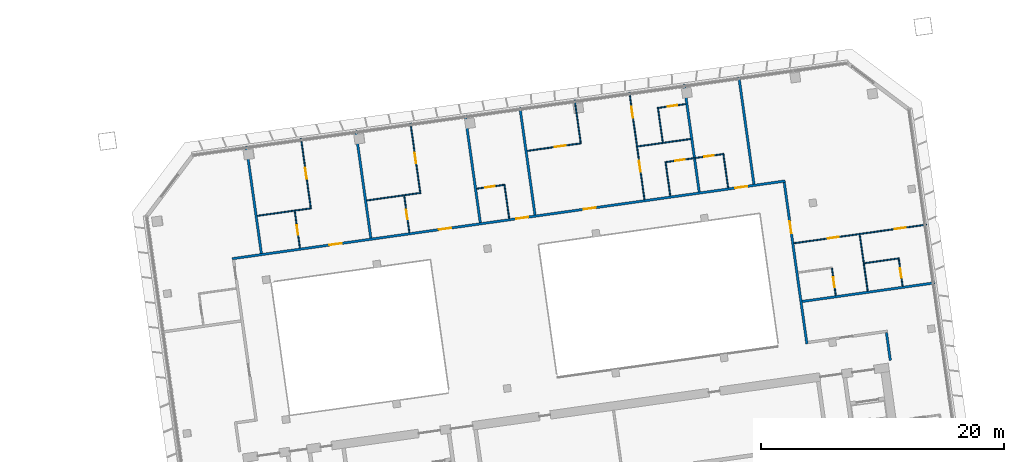
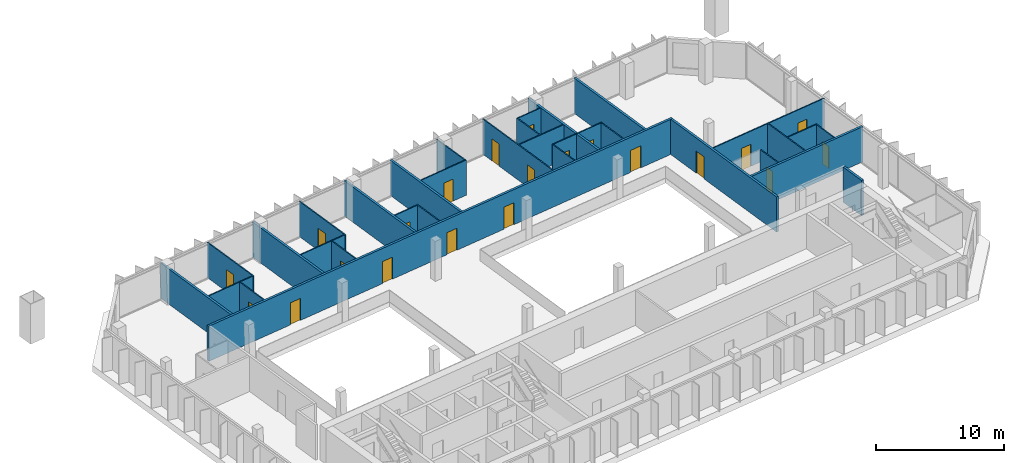
# One storey, part 21 of 25: 32 walls, 21 doors, 21 openings.
"""IFC4 building model written with IfcOpenShell, lengths in metres."""

from ifc_helpers import new_model, si_unit, direction, frame, frame_2d, origin, place, context, subcontext, project, spatial, rectangle, extrude, material, layer, layer_set, type_object, element, fill, save


model = new_model("IFC4")

# Units and contexts
model_context = context("Model", 3, precision=1e-05, world=origin(), true_north=direction((0.0, 1.0)))
body_context = subcontext(model_context, "Body", "Model", "MODEL_VIEW")
ifc_project = project(units=[si_unit("LENGTHUNIT", "METRE"), si_unit("AREAUNIT", "SQUARE_METRE"), si_unit("VOLUMEUNIT", "CUBIC_METRE"), si_unit("PLANEANGLEUNIT", "RADIAN"), si_unit("MASSUNIT", "GRAM", prefix="KILO")], contexts=[model_context])

# Site, building, storey
site_placement = place(None, origin())
site = spatial("IfcSite", under=ifc_project, at=site_placement, CompositionType="ELEMENT")
building_placement = place(site_placement, origin())
building = spatial("IfcBuilding", under=site, at=building_placement, Name="Mirante Cascada Hotel Towers", CompositionType="ELEMENT")
storey_placement = place(building_placement, frame((0.0, 0.0, 172.6)))
storey = spatial("IfcBuildingStorey", under=building, at=storey_placement, Name="L40", CompositionType="ELEMENT", Elevation=172.6)

# Wall
ifc_material_1 = material(Name="Fire-rated plasterboard on metal studs")
ifc_layer_1 = layer(ifc_material_1, 0.2)
ifc_layer_set_1 = layer_set([ifc_layer_1], Name="Compartment wall 200 EI 120")
wall_type_1 = type_object("IfcWallType", Name="Compartment wall 200 EI 120", PredefinedType="PARTITIONING", material=ifc_layer_set_1)
wall_1_placement = place(storey_placement, frame((81.4939, 5.237, 0.0), z_axis=(0.0, 0.0, 1.0), x_axis=(0.9902682, 0.1391721, 0.0)))
element("IfcWall", 1, at=wall_1_placement, inside=storey, type_object=wall_type_1, Name="Wall 2-L40-07", PredefinedType="PARTITIONING", context=body_context, shape_type="SweptSolid", body=[
    extrude(rectangle(XDim=11.0001, YDim=0.2, at=frame_2d((5.5, 0.0))), origin(), (0.0, 0.0, 1.0), 3.35),
])

# Wall, openings, doors
wall_2_placement = place(storey_placement, frame((34.6489, 8.7516, 0.0), z_axis=(0.0, 0.0, 1.0), x_axis=(0.9902679, 0.1391743, 0.0)))
wall_2 = element("IfcWall", 2, at=wall_2_placement, inside=storey, type_object=wall_type_1, Name="Wall 2-L40-13", PredefinedType="PARTITIONING", context=body_context, shape_type="SweptSolid", body=[
    extrude(rectangle(XDim=45.9, YDim=0.2, at=frame_2d((22.95, 0.0))), origin(), (0.0, 0.0, 1.0), 3.35),
])
opening_1_placement = place(wall_2_placement, frame((8.0777, 0.0, 0.0)))
opening_1 = element("IfcOpeningElement", 3, at=opening_1_placement, cuts=wall_2, Name="Opening D2-L40-06", PredefinedType="OPENING", context=body_context, shape_type="SweptSolid", body=[
    extrude(rectangle(XDim=1.0, YDim=2.1, at=frame_2d((0.5, 1.05))), frame((0.0, 0.1, 0.0), z_axis=(0.0, -1.0, 0.0), x_axis=(1.0, 0.0, 0.0)), (0.0, 0.0, 1.0), 0.2),
])
opening_2_placement = place(wall_2_placement, frame((17.1621, 0.0, 0.0)))
opening_2 = element("IfcOpeningElement", 4, at=opening_2_placement, cuts=wall_2, Name="Opening D2-L40-07", PredefinedType="OPENING", context=body_context, shape_type="SweptSolid", body=[
    extrude(rectangle(XDim=1.0, YDim=2.1, at=frame_2d((0.5, 1.05))), frame((0.0, 0.1, 0.0), z_axis=(0.0, -1.0, 0.0), x_axis=(1.0, 0.0, 0.0)), (0.0, 0.0, 1.0), 0.2),
])
opening_3_placement = place(wall_2_placement, frame((23.5755, 0.0, 0.0)))
opening_3 = element("IfcOpeningElement", 5, at=opening_3_placement, cuts=wall_2, Name="Opening D2-L40-08", PredefinedType="OPENING", context=body_context, shape_type="SweptSolid", body=[
    extrude(rectangle(XDim=1.0, YDim=2.1, at=frame_2d((0.5, 1.05))), frame((0.0, 0.1, 0.0), z_axis=(0.0, -1.0, 0.0), x_axis=(1.0, 0.0, 0.0)), (0.0, 0.0, 1.0), 0.2),
])
opening_4_placement = place(wall_2_placement, frame((29.1888, 0.0, 0.0)))
opening_4 = element("IfcOpeningElement", 6, at=opening_4_placement, cuts=wall_2, Name="Opening D2-L40-09", PredefinedType="OPENING", context=body_context, shape_type="SweptSolid", body=[
    extrude(rectangle(XDim=1.0, YDim=2.1, at=frame_2d((0.5, 1.05))), frame((0.0, 0.1, 0.0), z_axis=(0.0, -1.0, 0.0), x_axis=(1.0, 0.0, 0.0)), (0.0, 0.0, 1.0), 0.2),
])
opening_5_placement = place(wall_2_placement, frame((41.7444, 0.0, 0.0)))
opening_5 = element("IfcOpeningElement", 7, at=opening_5_placement, cuts=wall_2, Name="Opening D2-L40-10", PredefinedType="OPENING", context=body_context, shape_type="SweptSolid", body=[
    extrude(rectangle(XDim=1.0, YDim=2.1, at=frame_2d((0.5, 1.05))), frame((0.0, 0.1, 0.0), z_axis=(0.0, -1.0, 0.0), x_axis=(1.0, 0.0, 0.0)), (0.0, 0.0, 1.0), 0.2),
])
ifc_material_2 = material(Name="Fire-rated timber door leaf", Category="wood")
door_type_1 = type_object("IfcDoorType", Name="Entrance door DG1 1000x2100 EI 60", OperationType="SINGLE_SWING_LEFT", PredefinedType="DOOR", material=ifc_material_2)
door_1_placement = place(opening_1_placement, origin())
door_1 = element("IfcDoor", 8, at=door_1_placement, inside=storey, type_object=door_type_1, Name="Door D2-L40-06", OperationType="SINGLE_SWING_LEFT", OverallHeight=2.1, OverallWidth=1.0, PredefinedType="DOOR", context=body_context, shape_type="SweptSolid", body=[
    extrude(rectangle(XDim=1.0, YDim=2.1, at=frame_2d((0.5, 1.05))), frame((0.0, 0.025, 0.0), z_axis=(0.0, -1.0, 0.0), x_axis=(1.0, 0.0, 0.0)), (0.0, 0.0, 1.0), 0.05),
])
fill(opening_1, door_1)
door_2_placement = place(opening_2_placement, origin())
door_2 = element("IfcDoor", 9, at=door_2_placement, inside=storey, type_object=door_type_1, Name="Door D2-L40-07", OperationType="SINGLE_SWING_LEFT", OverallHeight=2.1, OverallWidth=1.0, PredefinedType="DOOR", context=body_context, shape_type="SweptSolid", body=[
    extrude(rectangle(XDim=1.0, YDim=2.1, at=frame_2d((0.5, 1.05))), frame((0.0, 0.025, 0.0), z_axis=(0.0, -1.0, 0.0), x_axis=(1.0, 0.0, 0.0)), (0.0, 0.0, 1.0), 0.05),
])
fill(opening_2, door_2)
door_3_placement = place(opening_3_placement, origin())
door_3 = element("IfcDoor", 10, at=door_3_placement, inside=storey, type_object=door_type_1, Name="Door D2-L40-08", OperationType="SINGLE_SWING_LEFT", OverallHeight=2.1, OverallWidth=1.0, PredefinedType="DOOR", context=body_context, shape_type="SweptSolid", body=[
    extrude(rectangle(XDim=1.0, YDim=2.1, at=frame_2d((0.5, 1.05))), frame((0.0, 0.025, 0.0), z_axis=(0.0, -1.0, 0.0), x_axis=(1.0, 0.0, 0.0)), (0.0, 0.0, 1.0), 0.05),
])
fill(opening_3, door_3)
door_4_placement = place(opening_4_placement, origin())
door_4 = element("IfcDoor", 11, at=door_4_placement, inside=storey, type_object=door_type_1, Name="Door D2-L40-09", OperationType="SINGLE_SWING_LEFT", OverallHeight=2.1, OverallWidth=1.0, PredefinedType="DOOR", context=body_context, shape_type="SweptSolid", body=[
    extrude(rectangle(XDim=1.0, YDim=2.1, at=frame_2d((0.5, 1.05))), frame((0.0, 0.025, 0.0), z_axis=(0.0, -1.0, 0.0), x_axis=(1.0, 0.0, 0.0)), (0.0, 0.0, 1.0), 0.05),
])
fill(opening_4, door_4)
door_5_placement = place(opening_5_placement, origin())
door_5 = element("IfcDoor", 12, at=door_5_placement, inside=storey, type_object=door_type_1, Name="Door D2-L40-10", OperationType="SINGLE_SWING_LEFT", OverallHeight=2.1, OverallWidth=1.0, PredefinedType="DOOR", context=body_context, shape_type="SweptSolid", body=[
    extrude(rectangle(XDim=1.0, YDim=2.1, at=frame_2d((0.5, 1.05))), frame((0.0, 0.025, 0.0), z_axis=(0.0, -1.0, 0.0), x_axis=(1.0, 0.0, 0.0)), (0.0, 0.0, 1.0), 0.05),
])
fill(opening_5, door_5)

# Walls
for number, where, z_axis, x_axis, name in (
    (13, (37.0468, 9.1896, 0.0), (0.0, 0.0, 1.0), (-0.1391794, 0.9902672, 0.0), "Wall 2-L40-27"),
    (14, (44.8041, 19.2673, 0.0), (0.0, 0.0, 1.0), (0.1391794, -0.9902672, 0.0), "Wall 2-L40-30"),
    (15, (55.0389, 11.7182, 0.0), (0.0, 0.0, 1.0), (-0.1391794, 0.9902672, 0.0), "Wall 2-L40-33"),
    (16, (59.5369, 12.3504, 0.0), (0.0, 0.0, 1.0), (-0.1391794, 0.9902672, 0.0), "Wall 2-L40-35"),
):
    element("IfcWall", number, at=place(storey_placement, frame(where, z_axis=z_axis, x_axis=x_axis)), inside=storey, type_object=wall_type_1, Name=name, PredefinedType="PARTITIONING", context=body_context, shape_type="SweptSolid", body=[
        extrude(rectangle(XDim=8.9, YDim=0.2, at=frame_2d((4.45, 0.0))), origin(), (0.0, 0.0, 1.0), 3.35),
    ])
wall_3_placement = place(storey_placement, frame((71.7923, 23.0602, 0.0), z_axis=(0.0, 0.0, 1.0), x_axis=(0.13917, -0.9902685, 0.0)))
element("IfcWall", 17, at=wall_3_placement, inside=storey, type_object=wall_type_1, Name="Wall 2-L40-40", PredefinedType="PARTITIONING", context=body_context, shape_type="SweptSolid", body=[
    extrude(rectangle(XDim=8.8999, YDim=0.2, at=frame_2d((4.45, 0.0))), origin(), (0.0, 0.0, 1.0), 3.35),
])
wall_4_placement = place(storey_placement, frame((76.2903, 23.6924, 0.0), z_axis=(0.0, 0.0, 1.0), x_axis=(0.1391684, -0.9902687, 0.0)))
element("IfcWall", 18, at=wall_4_placement, inside=storey, type_object=wall_type_1, Name="Wall 2-L40-42", PredefinedType="PARTITIONING", context=body_context, shape_type="SweptSolid", body=[
    extrude(rectangle(XDim=8.9, YDim=0.2, at=frame_2d((4.45, 0.0))), origin(), (0.0, 0.0, 1.0), 3.35),
])

# Wall, opening, door
wall_5_placement = place(storey_placement, frame((81.882, 1.7571, 0.0), z_axis=(0.0, 0.0, 1.0), x_axis=(-0.1391716, 0.9902683, 0.0)))
wall_5 = element("IfcWall", 19, at=wall_5_placement, inside=storey, type_object=wall_type_1, Name="Wall 2-L40-43", PredefinedType="PARTITIONING", context=body_context, shape_type="SweptSolid", body=[
    extrude(rectangle(XDim=13.4, YDim=0.2, at=frame_2d((6.7, 0.0))), origin(), (0.0, 0.0, 1.0), 3.35),
])
opening_6_placement = place(wall_5_placement, frame((9.1833, 0.0, 0.0)))
opening_6 = element("IfcOpeningElement", 20, at=opening_6_placement, cuts=wall_5, Name="Opening D2-L40-25", PredefinedType="OPENING", context=body_context, shape_type="SweptSolid", body=[
    extrude(rectangle(XDim=1.0, YDim=2.1, at=frame_2d((0.5, 1.05))), frame((0.0, 0.1, 0.0), z_axis=(0.0, -1.0, 0.0), x_axis=(1.0, 0.0, 0.0)), (0.0, 0.0, 1.0), 0.2),
])
door_6_placement = place(opening_6_placement, frame((1.0, 0.0, 0.0), z_axis=(0.0, 0.0, 1.0), x_axis=(-1.0, 0.0, 0.0)))
door_6 = element("IfcDoor", 21, at=door_6_placement, inside=storey, type_object=door_type_1, Name="Door D2-L40-25", OperationType="SINGLE_SWING_RIGHT", OverallHeight=2.1, OverallWidth=1.0, PredefinedType="DOOR", context=body_context, shape_type="SweptSolid", body=[
    extrude(rectangle(XDim=1.0, YDim=2.1, at=frame_2d((0.5, 1.05))), frame((0.0, 0.025, 0.0), z_axis=(0.0, -1.0, 0.0), x_axis=(1.0, 0.0, 0.0)), (0.0, 0.0, 1.0), 0.05),
])
fill(opening_6, door_6)

# Walls
wall_6_placement = place(storey_placement, frame((88.4178, 2.6757, 0.0), z_axis=(0.0, 0.0, 1.0), x_axis=(0.1391749, -0.9902678, 0.0)))
element("IfcWall", 22, at=wall_6_placement, inside=storey, type_object=wall_type_1, Name="Wall 2-L40-46", PredefinedType="PARTITIONING", context=body_context, shape_type="SweptSolid", body=[
    extrude(rectangle(XDim=2.3, YDim=0.2, at=frame_2d((1.15, 0.0))), origin(), (0.0, 0.0, 1.0), 3.35),
])
ifc_material_3 = material(Name="Plasterboard on metal studs")
ifc_layer_2 = layer(ifc_material_3, 0.1)
ifc_layer_set_2 = layer_set([ifc_layer_2], Name="Partition 100")
wall_type_2 = type_object("IfcWallType", Name="Partition 100", PredefinedType="PARTITIONING", material=ifc_layer_set_2)
wall_7_placement = place(storey_placement, frame((86.6064, 8.3791, 0.0), z_axis=(0.0, 0.0, 1.0), x_axis=(0.9902683, 0.1391714, 0.0)))
element("IfcWall", 23, at=wall_7_placement, inside=storey, type_object=wall_type_2, Name="Wall 2-L40-09", PredefinedType="PARTITIONING", context=body_context, shape_type="SweptSolid", body=[
    extrude(rectangle(XDim=2.9, YDim=0.1, at=frame_2d((1.45, 0.0))), origin(), (0.0, 0.0, 1.0), 3.35),
])

# Wall, openings, doors
wall_8_placement = place(storey_placement, frame((80.8213, 10.0233, 0.0), z_axis=(0.0, 0.0, 1.0), x_axis=(0.990268, 0.1391733, 0.0)))
wall_8 = element("IfcWall", 24, at=wall_8_placement, inside=storey, type_object=wall_type_2, Name="Wall 2-L40-11", PredefinedType="PARTITIONING", context=body_context, shape_type="SweptSolid", body=[
    extrude(rectangle(XDim=11.0, YDim=0.1, at=frame_2d((5.5, 0.0))), origin(), (0.0, 0.0, 1.0), 3.35),
])
opening_7_placement = place(wall_8_placement, frame((2.825, 0.0, 0.0)))
opening_7 = element("IfcOpeningElement", 25, at=opening_7_placement, cuts=wall_8, Name="Opening D2-L40-04", PredefinedType="OPENING", context=body_context, shape_type="SweptSolid", body=[
    extrude(rectangle(XDim=0.9, YDim=2.1, at=frame_2d((0.45, 1.05))), frame((0.0, 0.05, 0.0), z_axis=(0.0, -1.0, 0.0), x_axis=(1.0, 0.0, 0.0)), (0.0, 0.0, 1.0), 0.1),
])
opening_8_placement = place(wall_8_placement, frame((8.375, 0.0, 0.0)))
opening_8 = element("IfcOpeningElement", 26, at=opening_8_placement, cuts=wall_8, Name="Opening D2-L40-05", PredefinedType="OPENING", context=body_context, shape_type="SweptSolid", body=[
    extrude(rectangle(XDim=0.9, YDim=2.1, at=frame_2d((0.45, 1.05))), frame((0.0, 0.05, 0.0), z_axis=(0.0, -1.0, 0.0), x_axis=(1.0, 0.0, 0.0)), (0.0, 0.0, 1.0), 0.1),
])
ifc_material_4 = material(Name="Timber door leaf", Category="wood")
door_type_2 = type_object("IfcDoorType", Name="Room door DG3 900x2100", OperationType="SINGLE_SWING_LEFT", PredefinedType="DOOR", material=ifc_material_4)
door_7_placement = place(opening_7_placement, origin())
door_7 = element("IfcDoor", 27, at=door_7_placement, inside=storey, type_object=door_type_2, Name="Door D2-L40-04", OperationType="SINGLE_SWING_LEFT", OverallHeight=2.1, OverallWidth=0.9, PredefinedType="DOOR", context=body_context, shape_type="SweptSolid", body=[
    extrude(rectangle(XDim=0.9, YDim=2.1, at=frame_2d((0.45, 1.05))), frame((0.0, 0.025, 0.0), z_axis=(0.0, -1.0, 0.0), x_axis=(1.0, 0.0, 0.0)), (0.0, 0.0, 1.0), 0.05),
])
fill(opening_7, door_7)
door_8_placement = place(opening_8_placement, origin())
door_8 = element("IfcDoor", 28, at=door_8_placement, inside=storey, type_object=door_type_2, Name="Door D2-L40-05", OperationType="SINGLE_SWING_LEFT", OverallHeight=2.1, OverallWidth=0.9, PredefinedType="DOOR", context=body_context, shape_type="SweptSolid", body=[
    extrude(rectangle(XDim=0.9, YDim=2.1, at=frame_2d((0.45, 1.05))), frame((0.0, 0.025, 0.0), z_axis=(0.0, -1.0, 0.0), x_axis=(1.0, 0.0, 0.0)), (0.0, 0.0, 1.0), 0.05),
])
fill(opening_8, door_8)

# Wall, opening, door
wall_9_placement = place(storey_placement, frame((56.9763, 14.818, 0.0), z_axis=(0.0, 0.0, 1.0), x_axis=(-0.9902705, -0.1391561, 0.0)))
wall_9 = element("IfcWall", 29, at=wall_9_placement, inside=storey, type_object=wall_type_2, Name="Wall 2-L40-14", PredefinedType="PARTITIONING", context=body_context, shape_type="SweptSolid", body=[
    extrude(rectangle(XDim=2.25, YDim=0.1, at=frame_2d((1.125, 0.0))), origin(), (0.0, 0.0, 1.0), 3.35),
])
opening_9_placement = place(wall_9_placement, frame((0.75, 0.0, 0.0)))
opening_9 = element("IfcOpeningElement", 30, at=opening_9_placement, cuts=wall_9, Name="Opening D2-L40-11", PredefinedType="OPENING", context=body_context, shape_type="SweptSolid", body=[
    extrude(rectangle(XDim=0.8, YDim=2.1, at=frame_2d((0.4, 1.05))), frame((0.0, 0.05, 0.0), z_axis=(0.0, -1.0, 0.0), x_axis=(1.0, 0.0, 0.0)), (0.0, 0.0, 1.0), 0.1),
])
ifc_material_5 = material(Name="Timber door leaf", Category="wood")
door_type_3 = type_object("IfcDoorType", Name="Bathroom door DG4 800x2100", OperationType="SINGLE_SWING_LEFT", PredefinedType="DOOR", material=ifc_material_5)
door_9_placement = place(opening_9_placement, frame((0.8, 0.0, 0.0), z_axis=(0.0, 0.0, 1.0), x_axis=(-1.0, 0.0, 0.0)))
door_9 = element("IfcDoor", 31, at=door_9_placement, inside=storey, type_object=door_type_3, Name="Door D2-L40-11", OperationType="SINGLE_SWING_RIGHT", OverallHeight=2.1, OverallWidth=0.8, PredefinedType="DOOR", context=body_context, shape_type="SweptSolid", body=[
    extrude(rectangle(XDim=0.8, YDim=2.1, at=frame_2d((0.4, 1.05))), frame((0.0, 0.025, 0.0), z_axis=(0.0, -1.0, 0.0), x_axis=(1.0, 0.0, 0.0)), (0.0, 0.0, 1.0), 0.05),
])
fill(opening_9, door_9)

# Wall, openings, doors
wall_10_placement = place(storey_placement, frame((70.2151, 16.6786, 0.0), z_axis=(0.0, 0.0, 1.0), x_axis=(0.9902666, 0.1391838, 0.0)))
wall_10 = element("IfcWall", 32, at=wall_10_placement, inside=storey, type_object=wall_type_2, Name="Wall 2-L40-15", PredefinedType="PARTITIONING", context=body_context, shape_type="SweptSolid", body=[
    extrude(rectangle(XDim=4.9, YDim=0.1, at=frame_2d((2.45, 0.0))), origin(), (0.0, 0.0, 1.0), 3.35),
])
opening_10_placement = place(wall_10_placement, frame((0.85, 0.0, 0.0)))
opening_10 = element("IfcOpeningElement", 33, at=opening_10_placement, cuts=wall_10, Name="Opening D2-L40-12", PredefinedType="OPENING", context=body_context, shape_type="SweptSolid", body=[
    extrude(rectangle(XDim=0.8, YDim=2.1, at=frame_2d((0.4, 1.05))), frame((0.0, 0.05, 0.0), z_axis=(0.0, -1.0, 0.0), x_axis=(1.0, 0.0, 0.0)), (0.0, 0.0, 1.0), 0.1),
])
opening_11_placement = place(wall_10_placement, frame((3.25, 0.0, 0.0)))
opening_11 = element("IfcOpeningElement", 34, at=opening_11_placement, cuts=wall_10, Name="Opening D2-L40-13", PredefinedType="OPENING", context=body_context, shape_type="SweptSolid", body=[
    extrude(rectangle(XDim=0.8, YDim=2.1, at=frame_2d((0.4, 1.05))), frame((0.0, 0.05, 0.0), z_axis=(0.0, -1.0, 0.0), x_axis=(1.0, 0.0, 0.0)), (0.0, 0.0, 1.0), 0.1),
])
door_10_placement = place(opening_10_placement, frame((0.8, 0.0, 0.0), z_axis=(0.0, 0.0, 1.0), x_axis=(-1.0, 0.0, 0.0)))
door_10 = element("IfcDoor", 35, at=door_10_placement, inside=storey, type_object=door_type_3, Name="Door D2-L40-12", OperationType="SINGLE_SWING_RIGHT", OverallHeight=2.1, OverallWidth=0.8, PredefinedType="DOOR", context=body_context, shape_type="SweptSolid", body=[
    extrude(rectangle(XDim=0.8, YDim=2.1, at=frame_2d((0.4, 1.05))), frame((0.0, 0.025, 0.0), z_axis=(0.0, -1.0, 0.0), x_axis=(1.0, 0.0, 0.0)), (0.0, 0.0, 1.0), 0.05),
])
fill(opening_10, door_10)
door_11_placement = place(opening_11_placement, origin())
door_11 = element("IfcDoor", 36, at=door_11_placement, inside=storey, type_object=door_type_3, Name="Door D2-L40-13", OperationType="SINGLE_SWING_LEFT", OverallHeight=2.1, OverallWidth=0.8, PredefinedType="DOOR", context=body_context, shape_type="SweptSolid", body=[
    extrude(rectangle(XDim=0.8, YDim=2.1, at=frame_2d((0.4, 1.05))), frame((0.0, 0.025, 0.0), z_axis=(0.0, -1.0, 0.0), x_axis=(1.0, 0.0, 0.0)), (0.0, 0.0, 1.0), 0.05),
])
fill(opening_11, door_11)

# Walls
wall_11_placement = place(storey_placement, frame((41.0638, 12.8846, 0.0), z_axis=(0.0, 0.0, 1.0), x_axis=(-0.9902702, -0.1391579, 0.0)))
element("IfcWall", 37, at=wall_11_placement, inside=storey, type_object=wall_type_2, Name="Wall 2-L40-16", PredefinedType="PARTITIONING", context=body_context, shape_type="SweptSolid", body=[
    extrude(rectangle(XDim=4.3921, YDim=0.1, at=frame_2d((2.196, 0.0))), origin(), (0.0, 0.0, 1.0), 3.35),
])
for number, where, z_axis, x_axis, name in (
    (38, (45.7104, 13.5377, 0.0), (0.0, 0.0, 1.0), (0.9902675, 0.139177, 0.0), "Wall 2-L40-17"),
    (39, (72.3196, 18.5901, 0.0), (0.0, 0.0, 1.0), (-0.9902675, -0.139177, 0.0), "Wall 2-L40-18"),
):
    element("IfcWall", number, at=place(storey_placement, frame(where, z_axis=z_axis, x_axis=x_axis)), inside=storey, type_object=wall_type_2, Name=name, PredefinedType="PARTITIONING", context=body_context, shape_type="SweptSolid", body=[
        extrude(rectangle(XDim=4.3922, YDim=0.1, at=frame_2d((2.1961, 0.0))), origin(), (0.0, 0.0, 1.0), 3.35),
    ])

# Wall, opening, door
wall_12_placement = place(storey_placement, frame((58.8983, 17.6127, 0.0), z_axis=(0.0, 0.0, 1.0), x_axis=(0.9902679, 0.139174, 0.0)))
wall_12 = element("IfcWall", 40, at=wall_12_placement, inside=storey, type_object=wall_type_2, Name="Wall 2-L40-19", PredefinedType="PARTITIONING", context=body_context, shape_type="SweptSolid", body=[
    extrude(rectangle(XDim=4.4922, YDim=0.1, at=frame_2d((2.2461, 0.0))), origin(), (0.0, 0.0, 1.0), 3.35),
])
opening_12_placement = place(wall_12_placement, frame((2.288, 0.0, 0.0)))
opening_12 = element("IfcOpeningElement", 41, at=opening_12_placement, cuts=wall_12, Name="Opening D2-L40-14", PredefinedType="OPENING", context=body_context, shape_type="SweptSolid", body=[
    extrude(rectangle(XDim=0.9, YDim=2.1, at=frame_2d((0.45, 1.05))), frame((0.0, 0.05, 0.0), z_axis=(0.0, -1.0, 0.0), x_axis=(1.0, 0.0, 0.0)), (0.0, 0.0, 1.0), 0.1),
])
door_12_placement = place(opening_12_placement, frame((0.9, 0.0, 0.0), z_axis=(0.0, 0.0, 1.0), x_axis=(-1.0, 0.0, 0.0)))
door_12 = element("IfcDoor", 42, at=door_12_placement, inside=storey, type_object=door_type_2, Name="Door D2-L40-14", OperationType="SINGLE_SWING_RIGHT", OverallHeight=2.1, OverallWidth=0.9, PredefinedType="DOOR", context=body_context, shape_type="SweptSolid", body=[
    extrude(rectangle(XDim=0.9, YDim=2.1, at=frame_2d((0.45, 1.05))), frame((0.0, 0.025, 0.0), z_axis=(0.0, -1.0, 0.0), x_axis=(1.0, 0.0, 0.0)), (0.0, 0.0, 1.0), 0.05),
])
fill(opening_12, door_12)

wall_13_placement = place(storey_placement, frame((71.916, 21.4619, 0.0), z_axis=(0.0, 0.0, 1.0), x_axis=(-0.9902705, -0.1391561, 0.0)))
wall_13 = element("IfcWall", 43, at=wall_13_placement, inside=storey, type_object=wall_type_2, Name="Wall 2-L40-20", PredefinedType="PARTITIONING", context=body_context, shape_type="SweptSolid", body=[
    extrude(rectangle(XDim=2.25, YDim=0.1, at=frame_2d((1.125, 0.0))), origin(), (0.0, 0.0, 1.0), 3.35),
])
opening_13_placement = place(wall_13_placement, frame((0.7, 0.0, 0.0)))
opening_13 = element("IfcOpeningElement", 44, at=opening_13_placement, cuts=wall_13, Name="Opening D2-L40-15", PredefinedType="OPENING", context=body_context, shape_type="SweptSolid", body=[
    extrude(rectangle(XDim=0.8, YDim=2.1, at=frame_2d((0.4, 1.05))), frame((0.0, 0.05, 0.0), z_axis=(0.0, -1.0, 0.0), x_axis=(1.0, 0.0, 0.0)), (0.0, 0.0, 1.0), 0.1),
])
door_13_placement = place(opening_13_placement, origin())
door_13 = element("IfcDoor", 45, at=door_13_placement, inside=storey, type_object=door_type_3, Name="Door D2-L40-15", OperationType="SINGLE_SWING_LEFT", OverallHeight=2.1, OverallWidth=0.8, PredefinedType="DOOR", context=body_context, shape_type="SweptSolid", body=[
    extrude(rectangle(XDim=0.8, YDim=2.1, at=frame_2d((0.4, 1.05))), frame((0.0, 0.025, 0.0), z_axis=(0.0, -1.0, 0.0), x_axis=(1.0, 0.0, 0.0)), (0.0, 0.0, 1.0), 0.05),
])
fill(opening_13, door_13)

wall_14_placement = place(storey_placement, frame((39.7912, 12.6553, 0.0), z_axis=(0.0, 0.0, 1.0), x_axis=(0.1391488, -0.9902715, 0.0)))
wall_14 = element("IfcWall", 46, at=wall_14_placement, inside=storey, type_object=wall_type_2, Name="Wall 2-L40-28", PredefinedType="PARTITIONING", context=body_context, shape_type="SweptSolid", body=[
    extrude(rectangle(XDim=3.05, YDim=0.1, at=frame_2d((1.525, 0.0))), origin(), (0.0, 0.0, 1.0), 3.35),
])
opening_14_placement = place(wall_14_placement, frame((1.15, 0.0, 0.0)))
opening_14 = element("IfcOpeningElement", 47, at=opening_14_placement, cuts=wall_14, Name="Opening D2-L40-19", PredefinedType="OPENING", context=body_context, shape_type="SweptSolid", body=[
    extrude(rectangle(XDim=0.8, YDim=2.1, at=frame_2d((0.4, 1.05))), frame((0.0, 0.05, 0.0), z_axis=(0.0, -1.0, 0.0), x_axis=(1.0, 0.0, 0.0)), (0.0, 0.0, 1.0), 0.1),
])
door_14_placement = place(opening_14_placement, origin())
door_14 = element("IfcDoor", 48, at=door_14_placement, inside=storey, type_object=door_type_3, Name="Door D2-L40-19", OperationType="SINGLE_SWING_LEFT", OverallHeight=2.1, OverallWidth=0.8, PredefinedType="DOOR", context=body_context, shape_type="SweptSolid", body=[
    extrude(rectangle(XDim=0.8, YDim=2.1, at=frame_2d((0.4, 1.05))), frame((0.0, 0.025, 0.0), z_axis=(0.0, -1.0, 0.0), x_axis=(1.0, 0.0, 0.0)), (0.0, 0.0, 1.0), 0.05),
])
fill(opening_14, door_14)

wall_15_placement = place(storey_placement, frame((41.1203, 12.8421, 0.0), z_axis=(0.0, 0.0, 1.0), x_axis=(-0.1391786, 0.9902673, 0.0)))
wall_15 = element("IfcWall", 49, at=wall_15_placement, inside=storey, type_object=wall_type_2, Name="Wall 2-L40-29", PredefinedType="PARTITIONING", context=body_context, shape_type="SweptSolid", body=[
    extrude(rectangle(XDim=5.85, YDim=0.1, at=frame_2d((2.925, 0.0))), origin(), (0.0, 0.0, 1.0), 3.35),
])
opening_15_placement = place(wall_15_placement, frame((2.5, 0.0, 0.0)))
opening_15 = element("IfcOpeningElement", 50, at=opening_15_placement, cuts=wall_15, Name="Opening D2-L40-20", PredefinedType="OPENING", context=body_context, shape_type="SweptSolid", body=[
    extrude(rectangle(XDim=0.9, YDim=2.1, at=frame_2d((0.45, 1.05))), frame((0.0, 0.05, 0.0), z_axis=(0.0, -1.0, 0.0), x_axis=(1.0, 0.0, 0.0)), (0.0, 0.0, 1.0), 0.1),
])
door_15_placement = place(opening_15_placement, frame((0.9, 0.0, 0.0), z_axis=(0.0, 0.0, 1.0), x_axis=(-1.0, 0.0, 0.0)))
door_15 = element("IfcDoor", 51, at=door_15_placement, inside=storey, type_object=door_type_2, Name="Door D2-L40-20", OperationType="SINGLE_SWING_RIGHT", OverallHeight=2.1, OverallWidth=0.9, PredefinedType="DOOR", context=body_context, shape_type="SweptSolid", body=[
    extrude(rectangle(XDim=0.9, YDim=2.1, at=frame_2d((0.45, 1.05))), frame((0.0, 0.025, 0.0), z_axis=(0.0, -1.0, 0.0), x_axis=(1.0, 0.0, 0.0)), (0.0, 0.0, 1.0), 0.05),
])
fill(opening_15, door_15)

wall_16_placement = place(storey_placement, frame((49.2116, 10.8993, 0.0), z_axis=(0.0, 0.0, 1.0), x_axis=(-0.1391488, 0.9902715, 0.0)))
wall_16 = element("IfcWall", 52, at=wall_16_placement, inside=storey, type_object=wall_type_2, Name="Wall 2-L40-31", PredefinedType="PARTITIONING", context=body_context, shape_type="SweptSolid", body=[
    extrude(rectangle(XDim=3.05, YDim=0.1, at=frame_2d((1.525, 0.0))), origin(), (0.0, 0.0, 1.0), 3.35),
])
opening_16_placement = place(wall_16_placement, frame((1.1, 0.0, 0.0)))
opening_16 = element("IfcOpeningElement", 53, at=opening_16_placement, cuts=wall_16, Name="Opening D2-L40-21", PredefinedType="OPENING", context=body_context, shape_type="SweptSolid", body=[
    extrude(rectangle(XDim=0.8, YDim=2.1, at=frame_2d((0.4, 1.05))), frame((0.0, 0.05, 0.0), z_axis=(0.0, -1.0, 0.0), x_axis=(1.0, 0.0, 0.0)), (0.0, 0.0, 1.0), 0.1),
])
door_16_placement = place(opening_16_placement, frame((0.8, 0.0, 0.0), z_axis=(0.0, 0.0, 1.0), x_axis=(-1.0, 0.0, 0.0)))
door_16 = element("IfcDoor", 54, at=door_16_placement, inside=storey, type_object=door_type_3, Name="Door D2-L40-21", OperationType="SINGLE_SWING_RIGHT", OverallHeight=2.1, OverallWidth=0.8, PredefinedType="DOOR", context=body_context, shape_type="SweptSolid", body=[
    extrude(rectangle(XDim=0.8, YDim=2.1, at=frame_2d((0.4, 1.05))), frame((0.0, 0.025, 0.0), z_axis=(0.0, -1.0, 0.0), x_axis=(1.0, 0.0, 0.0)), (0.0, 0.0, 1.0), 0.05),
])
fill(opening_16, door_16)

wall_17_placement = place(storey_placement, frame((49.3022, 19.8995, 0.0), z_axis=(0.0, 0.0, 1.0), x_axis=(0.1391786, -0.9902673, 0.0)))
wall_17 = element("IfcWall", 55, at=wall_17_placement, inside=storey, type_object=wall_type_2, Name="Wall 2-L40-32", PredefinedType="PARTITIONING", context=body_context, shape_type="SweptSolid", body=[
    extrude(rectangle(XDim=5.85, YDim=0.1, at=frame_2d((2.925, 0.0))), origin(), (0.0, 0.0, 1.0), 3.35),
])
opening_17_placement = place(wall_17_placement, frame((2.45, 0.0, 0.0)))
opening_17 = element("IfcOpeningElement", 56, at=opening_17_placement, cuts=wall_17, Name="Opening D2-L40-22", PredefinedType="OPENING", context=body_context, shape_type="SweptSolid", body=[
    extrude(rectangle(XDim=0.9, YDim=2.1, at=frame_2d((0.45, 1.05))), frame((0.0, 0.05, 0.0), z_axis=(0.0, -1.0, 0.0), x_axis=(1.0, 0.0, 0.0)), (0.0, 0.0, 1.0), 0.1),
])
door_17_placement = place(opening_17_placement, origin())
door_17 = element("IfcDoor", 57, at=door_17_placement, inside=storey, type_object=door_type_2, Name="Door D2-L40-22", OperationType="SINGLE_SWING_LEFT", OverallHeight=2.1, OverallWidth=0.9, PredefinedType="DOOR", context=body_context, shape_type="SweptSolid", body=[
    extrude(rectangle(XDim=0.9, YDim=2.1, at=frame_2d((0.45, 1.05))), frame((0.0, 0.025, 0.0), z_axis=(0.0, -1.0, 0.0), x_axis=(1.0, 0.0, 0.0)), (0.0, 0.0, 1.0), 0.05),
])
fill(opening_17, door_17)

# Walls
wall_18_placement = place(storey_placement, frame((57.0189, 14.8745, 0.0), z_axis=(0.0, 0.0, 1.0), x_axis=(0.1391613, -0.9902697, 0.0)))
element("IfcWall", 58, at=wall_18_placement, inside=storey, type_object=wall_type_2, Name="Wall 2-L40-34", PredefinedType="PARTITIONING", context=body_context, shape_type="SweptSolid", body=[
    extrude(rectangle(XDim=2.8499, YDim=0.1, at=frame_2d((1.425, 0.0))), origin(), (0.0, 0.0, 1.0), 3.35),
])
wall_19_placement = place(storey_placement, frame((62.7962, 21.7959, 0.0), z_axis=(0.0, 0.0, 1.0), x_axis=(0.1391849, -0.9902664, 0.0)))
element("IfcWall", 59, at=wall_19_placement, inside=storey, type_object=wall_type_2, Name="Wall 2-L40-36", PredefinedType="PARTITIONING", context=body_context, shape_type="SweptSolid", body=[
    extrude(rectangle(XDim=3.55, YDim=0.1, at=frame_2d((1.775, 0.0))), origin(), (0.0, 0.0, 1.0), 3.35),
])

# Wall, openings, doors
wall_20_placement = place(storey_placement, frame((68.533, 13.6147, 0.0), z_axis=(0.0, 0.0, 1.0), x_axis=(-0.1391794, 0.9902672, 0.0)))
wall_20 = element("IfcWall", 60, at=wall_20_placement, inside=storey, type_object=wall_type_2, Name="Wall 2-L40-37", PredefinedType="PARTITIONING", context=body_context, shape_type="SweptSolid", body=[
    extrude(rectangle(XDim=8.9, YDim=0.1, at=frame_2d((4.45, 0.0))), origin(), (0.0, 0.0, 1.0), 3.35),
])
opening_18_placement = place(wall_20_placement, frame((2.3, 0.0, 0.0)))
opening_18 = element("IfcOpeningElement", 61, at=opening_18_placement, cuts=wall_20, Name="Opening D2-L40-23", PredefinedType="OPENING", context=body_context, shape_type="SweptSolid", body=[
    extrude(rectangle(XDim=0.9, YDim=2.1, at=frame_2d((0.45, 1.05))), frame((0.0, 0.05, 0.0), z_axis=(0.0, -1.0, 0.0), x_axis=(1.0, 0.0, 0.0)), (0.0, 0.0, 1.0), 0.1),
])
opening_19_placement = place(wall_20_placement, frame((6.8, 0.0, 0.0)))
opening_19 = element("IfcOpeningElement", 62, at=opening_19_placement, cuts=wall_20, Name="Opening D2-L40-24", PredefinedType="OPENING", context=body_context, shape_type="SweptSolid", body=[
    extrude(rectangle(XDim=0.9, YDim=2.1, at=frame_2d((0.45, 1.05))), frame((0.0, 0.05, 0.0), z_axis=(0.0, -1.0, 0.0), x_axis=(1.0, 0.0, 0.0)), (0.0, 0.0, 1.0), 0.1),
])
door_18_placement = place(opening_18_placement, origin())
door_18 = element("IfcDoor", 63, at=door_18_placement, inside=storey, type_object=door_type_2, Name="Door D2-L40-23", OperationType="SINGLE_SWING_LEFT", OverallHeight=2.1, OverallWidth=0.9, PredefinedType="DOOR", context=body_context, shape_type="SweptSolid", body=[
    extrude(rectangle(XDim=0.9, YDim=2.1, at=frame_2d((0.45, 1.05))), frame((0.0, 0.025, 0.0), z_axis=(0.0, -1.0, 0.0), x_axis=(1.0, 0.0, 0.0)), (0.0, 0.0, 1.0), 0.05),
])
fill(opening_18, door_18)
door_19_placement = place(opening_19_placement, origin())
door_19 = element("IfcDoor", 64, at=door_19_placement, inside=storey, type_object=door_type_2, Name="Door D2-L40-24", OperationType="SINGLE_SWING_LEFT", OverallHeight=2.1, OverallWidth=0.9, PredefinedType="DOOR", context=body_context, shape_type="SweptSolid", body=[
    extrude(rectangle(XDim=0.9, YDim=2.1, at=frame_2d((0.45, 1.05))), frame((0.0, 0.025, 0.0), z_axis=(0.0, -1.0, 0.0), x_axis=(1.0, 0.0, 0.0)), (0.0, 0.0, 1.0), 0.05),
])
fill(opening_19, door_19)

# Walls
wall_21_placement = place(storey_placement, frame((70.2716, 16.6361, 0.0), z_axis=(0.0, 0.0, 1.0), x_axis=(0.1391607, -0.9902698, 0.0)))
element("IfcWall", 65, at=wall_21_placement, inside=storey, type_object=wall_type_2, Name="Wall 2-L40-38", PredefinedType="PARTITIONING", context=body_context, shape_type="SweptSolid", body=[
    extrude(rectangle(XDim=2.7501, YDim=0.1, at=frame_2d((1.3751, 0.0))), origin(), (0.0, 0.0, 1.0), 3.35),
])
wall_22_placement = place(storey_placement, frame((70.035, 18.3195, 0.0), z_axis=(0.0, 0.0, 1.0), x_axis=(-0.1391714, 0.9902683, 0.0)))
element("IfcWall", 66, at=wall_22_placement, inside=storey, type_object=wall_type_2, Name="Wall 2-L40-39", PredefinedType="PARTITIONING", context=body_context, shape_type="SweptSolid", body=[
    extrude(rectangle(XDim=2.9, YDim=0.1, at=frame_2d((1.45, 0.0))), origin(), (0.0, 0.0, 1.0), 3.35),
])
wall_23_placement = place(storey_placement, frame((75.4076, 14.5809, 0.0), z_axis=(0.0, 0.0, 1.0), x_axis=(-0.1391657, 0.9902691, 0.0)))
element("IfcWall", 67, at=wall_23_placement, inside=storey, type_object=wall_type_2, Name="Wall 2-L40-41", PredefinedType="PARTITIONING", context=body_context, shape_type="SweptSolid", body=[
    extrude(rectangle(XDim=2.75, YDim=0.1, at=frame_2d((1.375, 0.0))), origin(), (0.0, 0.0, 1.0), 3.35),
])

# Wall, opening, door
wall_24_placement = place(storey_placement, frame((83.9396, 7.9538, 0.0), z_axis=(0.0, 0.0, 1.0), x_axis=(0.1391997, -0.9902643, 0.0)))
wall_24 = element("IfcWall", 68, at=wall_24_placement, inside=storey, type_object=wall_type_2, Name="Wall 2-L40-44", PredefinedType="PARTITIONING", context=body_context, shape_type="SweptSolid", body=[
    extrude(rectangle(XDim=2.25, YDim=0.1, at=frame_2d((1.125, 0.0))), origin(), (0.0, 0.0, 1.0), 3.35),
])
opening_20_placement = place(wall_24_placement, frame((0.75, 0.0, 0.0)))
opening_20 = element("IfcOpeningElement", 69, at=opening_20_placement, cuts=wall_24, Name="Opening D2-L40-26", PredefinedType="OPENING", context=body_context, shape_type="SweptSolid", body=[
    extrude(rectangle(XDim=0.8, YDim=2.1, at=frame_2d((0.4, 1.05))), frame((0.0, 0.05, 0.0), z_axis=(0.0, -1.0, 0.0), x_axis=(1.0, 0.0, 0.0)), (0.0, 0.0, 1.0), 0.1),
])
door_20_placement = place(opening_20_placement, frame((0.8, 0.0, 0.0), z_axis=(0.0, 0.0, 1.0), x_axis=(-1.0, 0.0, 0.0)))
door_20 = element("IfcDoor", 70, at=door_20_placement, inside=storey, type_object=door_type_3, Name="Door D2-L40-26", OperationType="SINGLE_SWING_RIGHT", OverallHeight=2.1, OverallWidth=0.8, PredefinedType="DOOR", context=body_context, shape_type="SweptSolid", body=[
    extrude(rectangle(XDim=0.8, YDim=2.1, at=frame_2d((0.4, 1.05))), frame((0.0, 0.025, 0.0), z_axis=(0.0, -1.0, 0.0), x_axis=(1.0, 0.0, 0.0)), (0.0, 0.0, 1.0), 0.05),
])
fill(opening_20, door_20)

# Wall
wall_25_placement = place(storey_placement, frame((86.877, 6.0945, 0.0), z_axis=(0.0, 0.0, 1.0), x_axis=(-0.139176, 0.9902677, 0.0)))
element("IfcWall", 71, at=wall_25_placement, inside=storey, type_object=wall_type_2, Name="Wall 2-L40-45", PredefinedType="PARTITIONING", context=body_context, shape_type="SweptSolid", body=[
    extrude(rectangle(XDim=4.6833, YDim=0.1, at=frame_2d((2.3416, 0.0))), origin(), (0.0, 0.0, 1.0), 3.35),
])

# Wall, opening, door
wall_26_placement = place(storey_placement, frame((89.4356, 8.7262, 0.0), z_axis=(0.0, 0.0, 1.0), x_axis=(0.1391997, -0.9902643, 0.0)))
wall_26 = element("IfcWall", 72, at=wall_26_placement, inside=storey, type_object=wall_type_2, Name="Wall 2-L40-48", PredefinedType="PARTITIONING", context=body_context, shape_type="SweptSolid", body=[
    extrude(rectangle(XDim=2.25, YDim=0.1, at=frame_2d((1.125, 0.0))), origin(), (0.0, 0.0, 1.0), 3.35),
])
opening_21_placement = place(wall_26_placement, frame((0.75, 0.0, 0.0)))
opening_21 = element("IfcOpeningElement", 73, at=opening_21_placement, cuts=wall_26, Name="Opening D2-L40-27", PredefinedType="OPENING", context=body_context, shape_type="SweptSolid", body=[
    extrude(rectangle(XDim=0.8, YDim=2.1, at=frame_2d((0.4, 1.05))), frame((0.0, 0.05, 0.0), z_axis=(0.0, -1.0, 0.0), x_axis=(1.0, 0.0, 0.0)), (0.0, 0.0, 1.0), 0.1),
])
door_21_placement = place(opening_21_placement, frame((0.8, 0.0, 0.0), z_axis=(0.0, 0.0, 1.0), x_axis=(-1.0, 0.0, 0.0)))
door_21 = element("IfcDoor", 74, at=door_21_placement, inside=storey, type_object=door_type_3, Name="Door D2-L40-27", OperationType="SINGLE_SWING_RIGHT", OverallHeight=2.1, OverallWidth=0.8, PredefinedType="DOOR", context=body_context, shape_type="SweptSolid", body=[
    extrude(rectangle(XDim=0.8, YDim=2.1, at=frame_2d((0.4, 1.05))), frame((0.0, 0.025, 0.0), z_axis=(0.0, -1.0, 0.0), x_axis=(1.0, 0.0, 0.0)), (0.0, 0.0, 1.0), 0.05),
])
fill(opening_21, door_21)

save(model, "model.ifc")
